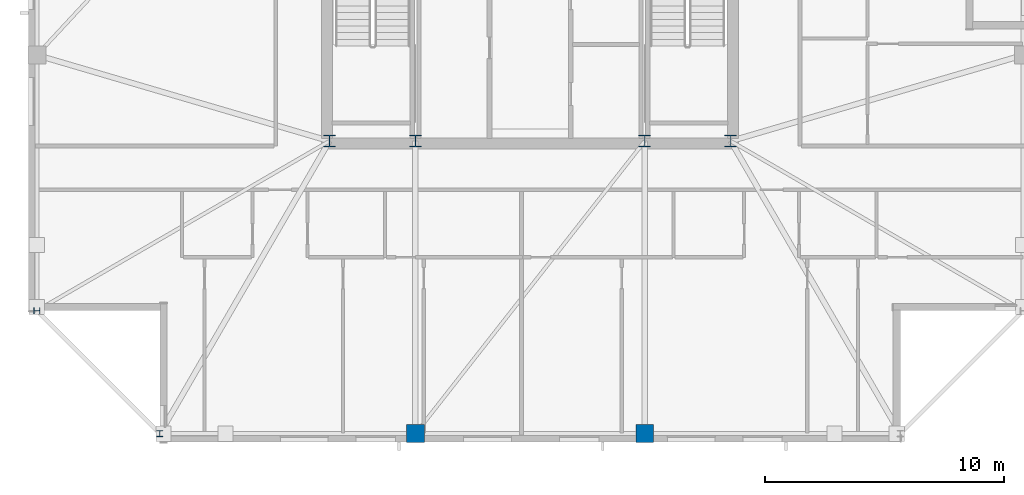
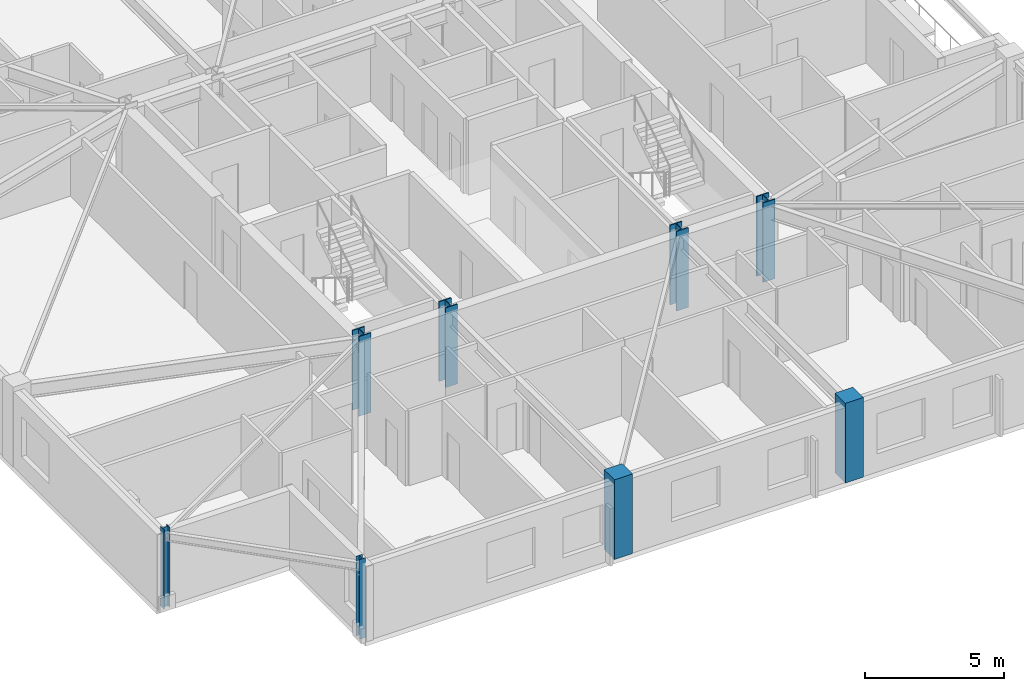
# One storey, part 1 of 15: 8 columns.
"""IFC4 building model written with IfcOpenShell, lengths in metres."""

from ifc_helpers import new_model, si_unit, direction, frame, origin, origin_2d, place, context, subcontext, project, spatial, rectangle, i_section, extrude, material, material_profile, profile_set, type_object, element, save


model = new_model("IFC4")

# Units and contexts
model_context = context("Model", 3, precision=1e-05, world=origin(), true_north=direction((0.0, 1.0)))
body_context = subcontext(model_context, "Body", "Model", "MODEL_VIEW")
ifc_project = project(units=[si_unit("LENGTHUNIT", "METRE"), si_unit("AREAUNIT", "SQUARE_METRE"), si_unit("VOLUMEUNIT", "CUBIC_METRE"), si_unit("PLANEANGLEUNIT", "RADIAN"), si_unit("MASSUNIT", "GRAM", prefix="KILO")], contexts=[model_context])

# Site, building, storey
site_placement = place(None, origin())
site = spatial("IfcSite", under=ifc_project, at=site_placement, CompositionType="ELEMENT")
building_placement = place(site_placement, origin())
building = spatial("IfcBuilding", under=site, at=building_placement, Name="Cairnveth Concourse Tower", CompositionType="ELEMENT")
storey_placement = place(building_placement, frame((0.0, 0.0, 305.0)))
storey = spatial("IfcBuildingStorey", under=building, at=storey_placement, Name="L84", CompositionType="ELEMENT", Elevation=305.0)

# Columns
ifc_material_1 = material(Name="Concrete N50 (50 MPa)", Category="concrete")
ifc_material_profile_1 = material_profile(ifc_material_1, rectangle(XDim=0.75, YDim=0.75, at=origin_2d()), Name="RC-COL-750x750")
ifc_profile_set_1 = profile_set([ifc_material_profile_1], Name="Concrete N50 (50 MPa)")
column_type_1 = type_object("IfcColumnType", Name="PERIMETER PIER COLUMN 750X750", PredefinedType="COLUMN", material=ifc_profile_set_1)
for number, where, z_axis, x_axis, name in (
    (1, (47.199951171875, 18.35009765625, 0.0), (0.0, 0.0, 1.0), (1.0, 0.0, 0.0), "Column P-S2 L84"),
    (2, (56.800048828125, 18.35009765625, 0.0), (0.0, 0.0, 1.0), (1.0, 0.0, 0.0), "Column P-S3 L84"),
):
    element("IfcColumn", number, at=place(storey_placement, frame(where, z_axis=z_axis, x_axis=x_axis)), inside=storey, type_object=column_type_1, Name=name, PredefinedType="COLUMN", context=body_context, shape_type="SweptSolid", body=[
        extrude(rectangle(XDim=0.75, YDim=0.75, at=origin_2d()), origin(), (0.0, 0.0, 1.0), 3.5),
    ])
ifc_material_2 = material(Name="Steel Grade 350", Category="steel")
ifc_material_profile_2 = material_profile(ifc_material_2, i_section(OverallWidth=0.25390625, OverallDepth=0.25390625, WebThickness=0.008544921875, FlangeThickness=0.01416015625, FilletRadius=0.012939453125, at=origin_2d()), Name="250UC72.9")
ifc_profile_set_2 = profile_set([ifc_material_profile_2], Name="Steel Grade 350")
column_type_2 = type_object("IfcColumnType", Name="UNIVERSAL STEEL COLUMN 250UC72.9", PredefinedType="COLUMN", material=ifc_profile_set_2)
for number, where, z_axis, x_axis, name in (
    (3, (36.5, 18.35009765625, 0.0), (0.0, 0.0, 1.0), (1.0, 0.0, 0.0), "Column P-S1 L84"),
    (4, (31.35009765625, 23.5, 0.0), (0.0, 0.0, 1.0), (0.0, 1.0, 0.0), "Column P-W4 L84"),
):
    element("IfcColumn", number, at=place(storey_placement, frame(where, z_axis=z_axis, x_axis=x_axis)), inside=storey, type_object=column_type_2, Name=name, PredefinedType="COLUMN", context=body_context, shape_type="SweptSolid", body=[
        extrude(i_section(OverallWidth=0.25390625, OverallDepth=0.25390625, WebThickness=0.008544921875, FlangeThickness=0.01416015625, FilletRadius=0.012939453125, at=origin_2d()), origin(), (0.0, 0.0, 1.0), 3.5),
    ])
ifc_material_profile_3 = material_profile(ifc_material_2, i_section(OverallWidth=0.5, OverallDepth=0.5, WebThickness=0.028076171875, FlangeThickness=0.044921875, at=origin_2d()), Name="500WC383")
ifc_profile_set_3 = profile_set([ifc_material_profile_3], Name="Steel Grade 350")
column_type_3 = type_object("IfcColumnType", Name="WELDED STEEL COLUMN 500WC383", PredefinedType="COLUMN", material=ifc_profile_set_3)
for number, where, z_axis, x_axis, name in (
    (5, (43.60009765625, 30.60009765625, 0.0), (0.0, 0.0, 1.0), (1.0, 0.0, 0.0), "Column CC1 L84"),
    (6, (47.199951171875, 30.60009765625, 0.0), (0.0, 0.0, 1.0), (1.0, 0.0, 0.0), "Column CC2 L84"),
    (7, (56.800048828125, 30.60009765625, 0.0), (0.0, 0.0, 1.0), (1.0, 0.0, 0.0), "Column CC3 L84"),
    (8, (60.39990234375, 30.60009765625, 0.0), (0.0, 0.0, 1.0), (1.0, 0.0, 0.0), "Column CC4 L84"),
):
    element("IfcColumn", number, at=place(storey_placement, frame(where, z_axis=z_axis, x_axis=x_axis)), inside=storey, type_object=column_type_3, Name=name, PredefinedType="COLUMN", context=body_context, shape_type="SweptSolid", body=[
        extrude(i_section(OverallWidth=0.5, OverallDepth=0.5, WebThickness=0.028076171875, FlangeThickness=0.044921875, at=origin_2d()), origin(), (0.0, 0.0, 1.0), 3.5),
    ])

save(model, "model.ifc")
